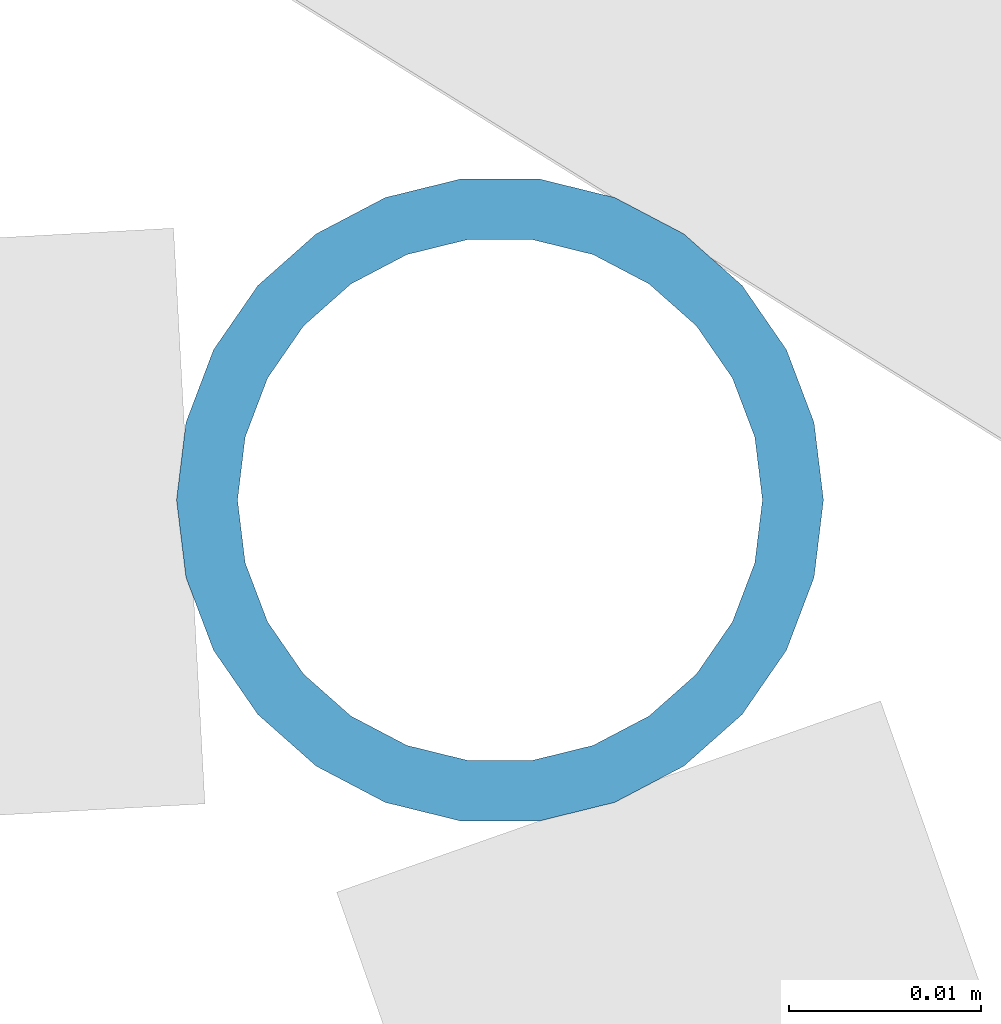
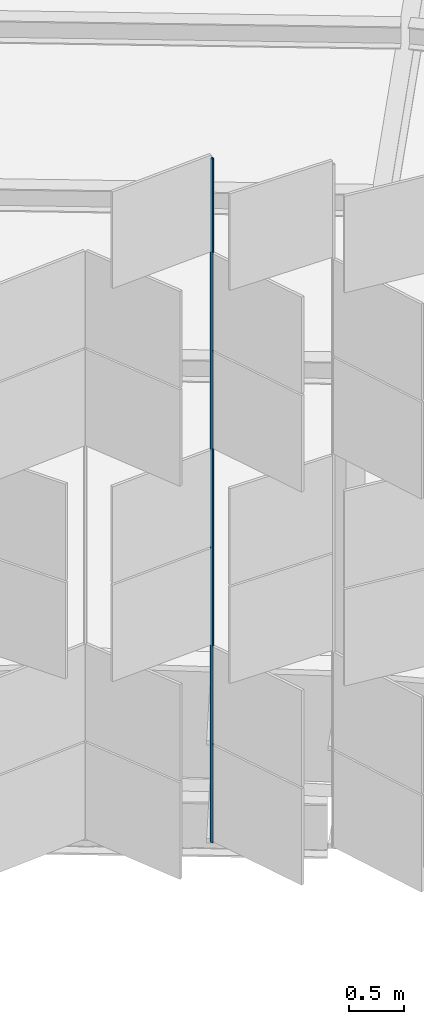
# One storey, part 264 of 483: 1 discrete accessory.
"""IFC4 building model written with IfcOpenShell, lengths in metres."""

from ifc_helpers import new_model, si_unit, direction, frame, origin, origin_2d, place, context, subcontext, project, spatial, hollow_circle, extrude, material, material_profile, profile_set, type_object, element, save


model = new_model("IFC4")

# Units and contexts
model_context = context("Model", 3, precision=1e-05, world=origin(), true_north=direction((0.0, 1.0)))
body_context = subcontext(model_context, "Body", "Model", "MODEL_VIEW")
ifc_project = project(units=[si_unit("LENGTHUNIT", "METRE"), si_unit("AREAUNIT", "SQUARE_METRE"), si_unit("VOLUMEUNIT", "CUBIC_METRE"), si_unit("PLANEANGLEUNIT", "RADIAN"), si_unit("MASSUNIT", "GRAM", prefix="KILO")], contexts=[model_context])

# Site, building, storey
site_placement = place(None, origin())
site = spatial("IfcSite", under=ifc_project, at=site_placement, CompositionType="ELEMENT")
building_placement = place(site_placement, origin())
building = spatial("IfcBuilding", under=site, at=building_placement, Name="Parallax Yard Mobility Hub", CompositionType="ELEMENT")
storey_placement = place(building_placement, frame((0.0, 0.0, 13.199951171875)))
storey = spatial("IfcBuildingStorey", under=building, at=storey_placement, Name="L04", CompositionType="ELEMENT", Elevation=13.199951171875)

# Discrete accessory
ifc_material = material(Name="Steel ASTM A500 Gr C, hot-dip galvanised", Category="steel")
ifc_material_profile = material_profile(ifc_material, hollow_circle(Radius=0.016845703125, WallThickness=0.003173828125, at=origin_2d()), Name="CHS 33.7x3.2")
ifc_profile_set = profile_set([ifc_material_profile], Name="Steel ASTM A500 Gr C, hot-dip galvanised")
discrete_accessory_type = type_object("IfcDiscreteAccessoryType", Name="Hinge post CHS 33.7x3.2", PredefinedType="BRACKET", material=ifc_profile_set)
discrete_accessory_placement = place(storey_placement, frame((184.21728515625, 108.017333984375, 0.0), z_axis=(0.0, 0.0, 1.0), x_axis=(1.0, 0.0, 0.0)))
element("IfcDiscreteAccessory", 1, at=discrete_accessory_placement, inside=storey, type_object=discrete_accessory_type, Name="Hinge post bay 19.6 level L04", PredefinedType="BRACKET", context=body_context, shape_type="SweptSolid", body=[
    extrude(hollow_circle(Radius=0.016845703125, WallThickness=0.003173828125, at=origin_2d()), origin(), (0.0, 0.0, 1.0), 7.650146484375),
])

save(model, "model.ifc")
